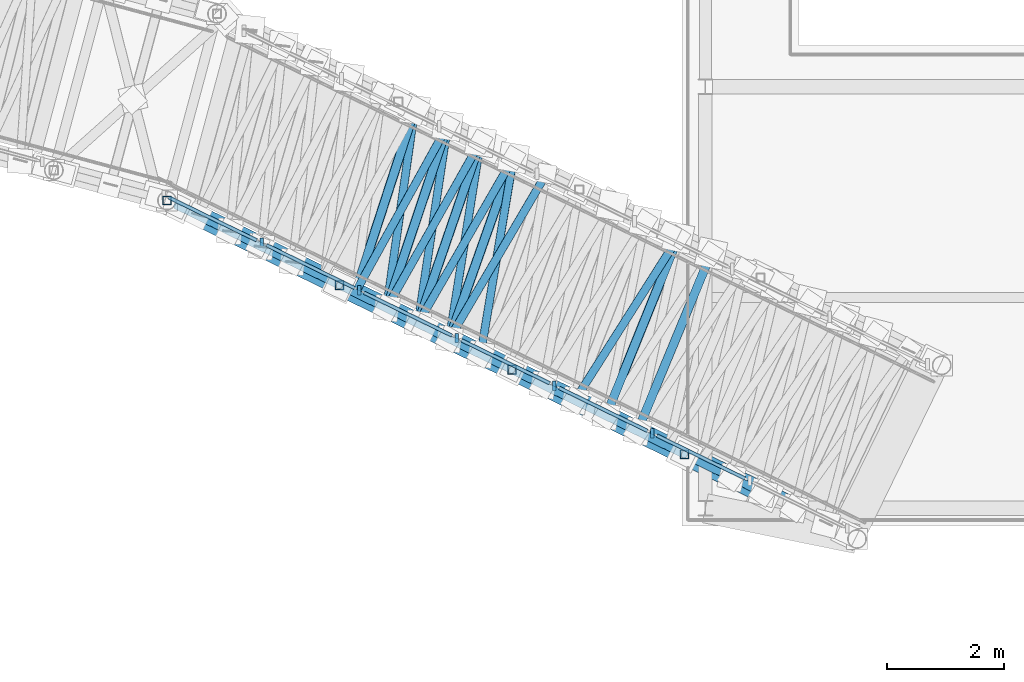
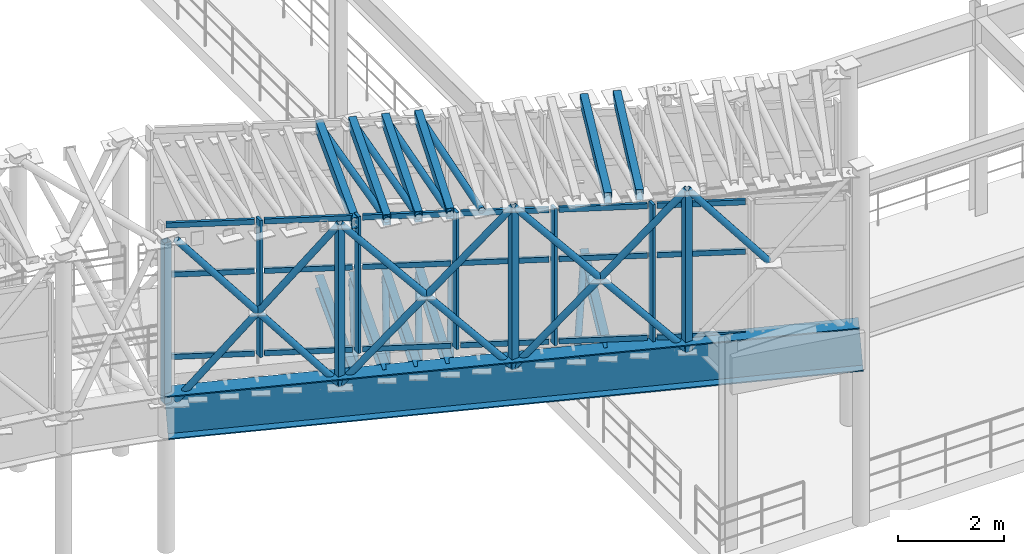
# One storey, part 62 of 144: 52 members, 6 beams, 1 element without a shape of its own.
"""IFC4 building model written with IfcOpenShell, lengths in metres."""

from ifc_helpers import new_model, si_unit, direction, frame, origin, origin_2d, place, context, subcontext, project, spatial, rectangle, hollow_rectangle, hollow_circle, i_section, extrude, material, material_profile, profile_set, type_object, element, aggregate, save


model = new_model("IFC4")

# Units and contexts
model_context = context("Model", 3, precision=1e-05, world=origin(), true_north=direction((0.0, 1.0)))
body_context = subcontext(model_context, "Body", "Model", "MODEL_VIEW")
ifc_project = project(units=[si_unit("LENGTHUNIT", "METRE"), si_unit("AREAUNIT", "SQUARE_METRE"), si_unit("VOLUMEUNIT", "CUBIC_METRE"), si_unit("PLANEANGLEUNIT", "RADIAN"), si_unit("MASSUNIT", "GRAM", prefix="KILO")], contexts=[model_context])

# Site, building, storey
site_placement = place(None, origin())
site = spatial("IfcSite", under=ifc_project, at=site_placement, CompositionType="ELEMENT")
building_placement = place(site_placement, origin())
building = spatial("IfcBuilding", under=site, at=building_placement, Name="Cinderbank Siding Concert Hall", CompositionType="ELEMENT")
storey_placement = place(building_placement, frame((0.0, 0.0, 5.39990234375)))
storey = spatial("IfcBuildingStorey", under=building, at=storey_placement, Name="L02", CompositionType="ELEMENT", Elevation=5.39990234375)

# Beam
ifc_material_1 = material(Name="Structural steel welded plate section AS/NZS 3679.2 / AS/NZS 3678 Grade 350 (340 MPa)", Category="steel")
ifc_material_profile_1 = material_profile(ifc_material_1, i_section(OverallWidth=0.35009765625, OverallDepth=1.0, WebThickness=0.013916015625, FlangeThickness=0.02490234375, at=origin_2d()), Name="1000WB258", Category="LoadBearing")
ifc_profile_set_1 = profile_set([ifc_material_profile_1], Name="Structural steel welded plate section AS/NZS 3679.2 / AS/NZS 3678 Grade 350 (340 MPa)")
beam_type_1 = type_object("IfcBeamType", Name="BM-WB1000 1000WB258", PredefinedType="BEAM", material=ifc_profile_set_1)
beam_1_placement = place(storey_placement, frame((109.2060546875, 93.85595703125, 3.1201171875), z_axis=(0.895376938297, -0.439293672626, 0.072946607575), x_axis=(0.440467144328, 0.897768731226, 0.0)))
element("IfcBeam", 1, at=beam_1_placement, inside=storey, type_object=beam_type_1, Name="L02 Beam BM-WB1000 #2014", PredefinedType="BEAM", context=body_context, shape_type="SweptSolid", body=[
    extrude(i_section(OverallWidth=0.35009765625, OverallDepth=1.0, WebThickness=0.013916015625, FlangeThickness=0.02490234375, at=origin_2d()), origin(), (0.0, 0.0, 1.0), 13.15966796875),
])

# Members
ifc_material_2 = material(Name="Structural steel hollow section AS/NZS 1163 Grade C350L0 (350 MPa)", Category="steel")
ifc_material_profile_2 = material_profile(ifc_material_2, hollow_circle(Radius=0.06982421875, WallThickness=0.00634765625, at=origin_2d()), Name="139.7x6.4CHS", Category="LoadBearing")
ifc_profile_set_2 = profile_set([ifc_material_profile_2], Name="Structural steel hollow section AS/NZS 1163 Grade C350L0 (350 MPa)")
member_type_1 = type_object("IfcMemberType", Name="BR-CHS139 139.7x6.4CHS Roof Truss", PredefinedType="BRACE", material=ifc_profile_set_2)
member_1_placement = place(storey_placement, frame((109.376708984375, 93.772216796875, 3.404052734375), z_axis=(0.555373819787, -0.272483486668, 0.785692477874), x_axis=(0.440471837187, 0.89776642878, 0.0)))
element("IfcMember", 2, at=member_1_placement, inside=storey, type_object=member_type_1, Name="L02 Diagonal Brace BR-CHS139 #BRDR-BR-CHS139-L02-0452", PredefinedType="BRACE", context=body_context, shape_type="SweptSolid", body=[
    extrude(hollow_circle(Radius=0.06982421875, WallThickness=0.00634765625, at=origin_2d()), origin(), (0.0, 0.0, 1.0), 4.996826171875),
])
member_2_placement = place(storey_placement, frame((109.376708984375, 93.772216796875, 7.10400390625), z_axis=(0.596777940563, -0.292786910266, -0.747082267782), x_axis=(0.440458848644, 0.897772801243, 0.0)))
element("IfcMember", 3, at=member_2_placement, inside=storey, type_object=member_type_1, Name="L02 Diagonal Brace BR-CHS139 #BRDR-BR-CHS139-L02-0453", PredefinedType="BRACE", context=body_context, shape_type="SweptSolid", body=[
    extrude(hollow_circle(Radius=0.06982421875, WallThickness=0.00634765625, at=origin_2d()), origin(), (0.0, 0.0, 1.0), 2.309814453125),
])
member_3_placement = place(storey_placement, frame((110.773193359375, 93.087158203125, 5.355712890625), z_axis=(0.596827518276, -0.292865070505, -0.747012023937), x_axis=(0.440524117547, 0.897740776538, 0.0)))
element("IfcMember", 4, at=member_3_placement, inside=storey, type_object=member_type_1, Name="L02 Diagonal Brace BR-CHS139 #BRDR-BR-CHS139-L02-0453-S53", PredefinedType="BRACE", context=body_context, shape_type="SweptSolid", body=[
    extrude(hollow_circle(Radius=0.06982421875, WallThickness=0.00634765625, at=origin_2d()), origin(), (0.0, 0.0, 1.0), 2.31005859375),
])
member_4_placement = place(storey_placement, frame((112.15185546875, 92.41064453125, 3.630126953125), z_axis=(0.574501774351, -0.281846332564, 0.768446716492), x_axis=(0.440444231761, 0.897779972325, 0.0)))
element("IfcMember", 5, at=member_4_placement, inside=storey, type_object=member_type_1, Name="L02 Diagonal Brace BR-CHS139 #BRDR-BR-CHS139-L02-0455", PredefinedType="BRACE", context=body_context, shape_type="SweptSolid", body=[
    extrude(hollow_circle(Radius=0.06982421875, WallThickness=0.00634765625, at=origin_2d()), origin(), (0.0, 0.0, 1.0), 5.127197265625),
])
for number, where, z_axis, x_axis, name in (
    (6, (112.15185546875, 92.41064453125, 7.330078125), (0.617794447681, -0.303074807445, -0.725586439721), (0.440431826116, 0.897786058337, 0.0), "L02 Diagonal Brace BR-CHS139 #BRDR-BR-CHS139-L02-0456"),
    (7, (113.6337890625, 91.68359375, 5.589111328125), (0.617794447681, -0.303074807445, -0.725586439721), (0.440431826116, 0.897786058337, 0.0), "L02 Diagonal Brace BR-CHS139 #BRDR-BR-CHS139-L02-0456-S54"),
):
    element("IfcMember", number, at=place(storey_placement, frame(where, z_axis=z_axis, x_axis=x_axis)), inside=storey, type_object=member_type_1, Name=name, PredefinedType="BRACE", context=body_context, shape_type="SweptSolid", body=[
        extrude(hollow_circle(Radius=0.06982421875, WallThickness=0.00634765625, at=origin_2d()), origin(), (0.0, 0.0, 1.0), 2.369140625),
    ])
member_5_placement = place(storey_placement, frame((115.097412109375, 90.965576171875, 3.8701171875), z_axis=(0.57452596335, -0.281882455083, 0.768415381778), x_axis=(0.440474781026, 0.897764984436, 0.0)))
element("IfcMember", 8, at=member_5_placement, inside=storey, type_object=member_type_1, Name="L02 Diagonal Brace BR-CHS139 #BRDR-BR-CHS139-L02-0458", PredefinedType="BRACE", context=body_context, shape_type="SweptSolid", body=[
    extrude(hollow_circle(Radius=0.06982421875, WallThickness=0.00634765625, at=origin_2d()), origin(), (0.0, 0.0, 1.0), 5.12744140625),
])
for number, where, z_axis, x_axis, name in (
    (9, (115.097412109375, 90.965576171875, 7.570068359375), (0.617775150133, -0.303168388939, -0.725563775161), (0.44055252032, 0.897726838654, 0.0), "L02 Diagonal Brace BR-CHS139 #BRDR-BR-CHS139-L02-0459"),
    (10, (116.57958984375, 90.23828125, 5.8291015625), (0.617794447681, -0.303074807445, -0.725586439721), (0.440431826116, 0.897786058337, 0.0), "L02 Diagonal Brace BR-CHS139 #BRDR-BR-CHS139-L02-0459-S55"),
):
    element("IfcMember", number, at=place(storey_placement, frame(where, z_axis=z_axis, x_axis=x_axis)), inside=storey, type_object=member_type_1, Name=name, PredefinedType="BRACE", context=body_context, shape_type="SweptSolid", body=[
        extrude(hollow_circle(Radius=0.06982421875, WallThickness=0.00634765625, at=origin_2d()), origin(), (0.0, 0.0, 1.0), 2.369140625),
    ])
member_6_placement = place(storey_placement, frame((118.043212890625, 89.520263671875, 7.81005859375), z_axis=(0.596845989227, -0.292768441678, -0.747035142882), x_axis=(0.440395978737, 0.897803643294, 0.0)))
element("IfcMember", 11, at=member_6_placement, inside=storey, type_object=member_type_1, Name="L02 Diagonal Brace BR-CHS139 #BRDR-BR-CHS139-L02-0462", PredefinedType="BRACE", context=body_context, shape_type="SweptSolid", body=[
    extrude(hollow_circle(Radius=0.06982421875, WallThickness=0.00634765625, at=origin_2d()), origin(), (0.0, 0.0, 1.0), 2.309814453125),
])
member_7_placement = place(storey_placement, frame((112.41943359375, 92.279296875, 3.681884765625), z_axis=(0.483819213363, 0.875065438801, 0.013395767856), x_axis=(-0.875143963127, 0.483862629062, 0.0)))
element("IfcMember", 12, at=member_7_placement, inside=storey, type_object=member_type_1, Name="L02 Diagonal Brace BR-CHS139 #BRST-BR-CHS139-L02-0480", PredefinedType="BRACE", context=body_context, shape_type="SweptSolid", body=[
    extrude(hollow_circle(Radius=0.06982421875, WallThickness=0.00634765625, at=origin_2d()), origin(), (0.0, 0.0, 1.0), 3.26220703125),
])
member_8_placement = place(storey_placement, frame((113.435302734375, 95.40673828125, 7.32177734375), z_axis=(-0.140241889779, -0.990035018543, 0.012762225862), x_axis=(0.990115654078, -0.140253312082, 0.0)))
element("IfcMember", 13, at=member_8_placement, inside=storey, type_object=member_type_1, Name="L02 Diagonal Brace BR-CHS139 #BRXR-BR-CHS139-L02-0481", PredefinedType="BRACE", context=body_context, shape_type="SweptSolid", body=[
    extrude(hollow_circle(Radius=0.06982421875, WallThickness=0.00634765625, at=origin_2d()), origin(), (0.0, 0.0, 1.0), 3.42431640625),
])
member_9_placement = place(storey_placement, frame((112.955078125, 92.0166015625, 3.7255859375), z_axis=(0.491426950963, 0.87081603128, 0.013378771745), x_axis=(-0.870893976092, 0.491470937499, 0.0)))
element("IfcMember", 14, at=member_9_placement, inside=storey, type_object=member_type_1, Name="L02 Diagonal Brace BR-CHS139 #BRST-BR-CHS139-L02-0483", PredefinedType="BRACE", context=body_context, shape_type="SweptSolid", body=[
    extrude(hollow_circle(Radius=0.06982421875, WallThickness=0.00634765625, at=origin_2d()), origin(), (0.0, 0.0, 1.0), 3.266357421875),
])
member_10_placement = place(storey_placement, frame((113.997802734375, 95.134033203125, 7.365478515625), z_axis=(-0.148345792189, -0.988852909418, 0.012784736063), x_axis=(0.988933733071, -0.148357917197, 0.0)))
element("IfcMember", 15, at=member_10_placement, inside=storey, type_object=member_type_1, Name="L02 Diagonal Brace BR-CHS139 #BRXR-BR-CHS139-L02-0484", PredefinedType="BRACE", context=body_context, shape_type="SweptSolid", body=[
    extrude(hollow_circle(Radius=0.06982421875, WallThickness=0.00634765625, at=origin_2d()), origin(), (0.0, 0.0, 1.0), 3.418212890625),
])
member_11_placement = place(storey_placement, frame((113.49072265625, 91.75390625, 3.769287109375), z_axis=(0.498978159618, 0.866512708302, 0.013286179867), x_axis=(-0.866589197956, 0.499022205904, 0.0)))
element("IfcMember", 16, at=member_11_placement, inside=storey, type_object=member_type_1, Name="L02 Diagonal Brace BR-CHS139 #BRST-BR-CHS139-L02-0486", PredefinedType="BRACE", context=body_context, shape_type="SweptSolid", body=[
    extrude(hollow_circle(Radius=0.06982421875, WallThickness=0.00634765625, at=origin_2d()), origin(), (0.0, 0.0, 1.0), 3.270751953125),
])
member_12_placement = place(storey_placement, frame((114.560302734375, 94.861083984375, 7.4091796875), z_axis=(-0.156467782866, -0.987600034147, 0.012806462338), x_axis=(0.987681030018, -0.156480615231, 0.0)))
element("IfcMember", 17, at=member_12_placement, inside=storey, type_object=member_type_1, Name="L02 Diagonal Brace BR-CHS139 #BRXR-BR-CHS139-L02-0487", PredefinedType="BRACE", context=body_context, shape_type="SweptSolid", body=[
    extrude(hollow_circle(Radius=0.06982421875, WallThickness=0.00634765625, at=origin_2d()), origin(), (0.0, 0.0, 1.0), 3.412353515625),
])
member_13_placement = place(storey_placement, frame((114.0263671875, 91.490966796875, 3.812744140625), z_axis=(0.50646034812, 0.862160059947, 0.013339670735), x_axis=(-0.862236779504, 0.506505415638, 0.0)))
element("IfcMember", 18, at=member_13_placement, inside=storey, type_object=member_type_1, Name="L02 Diagonal Brace BR-CHS139 #BRST-BR-CHS139-L02-0489", PredefinedType="BRACE", context=body_context, shape_type="SweptSolid", body=[
    extrude(hollow_circle(Radius=0.06982421875, WallThickness=0.00634765625, at=origin_2d()), origin(), (0.0, 0.0, 1.0), 3.276123046875),
])
member_14_placement = place(storey_placement, frame((115.122802734375, 94.588134765625, 7.452880859375), z_axis=(-0.164617886807, -0.986273991394, 0.012828298537), x_axis=(0.986355154621, -0.16463143367, 0.0)))
element("IfcMember", 19, at=member_14_placement, inside=storey, type_object=member_type_1, Name="L02 Diagonal Brace BR-CHS139 #BRXR-BR-CHS139-L02-0490", PredefinedType="BRACE", context=body_context, shape_type="SweptSolid", body=[
    extrude(hollow_circle(Radius=0.06982421875, WallThickness=0.00634765625, at=origin_2d()), origin(), (0.0, 0.0, 1.0), 3.40673828125),
])
member_15_placement = place(storey_placement, frame((116.168701171875, 90.43994140625, 3.9873046875), z_axis=(0.535802759037, 0.844239168343, 0.013252548552), x_axis=(-0.844313314991, 0.535849816767, 0.0)))
element("IfcMember", 20, at=member_15_placement, inside=storey, type_object=member_type_1, Name="L02 Diagonal Brace BR-CHS139 #BRST-BR-CHS139-L02-0501", PredefinedType="BRACE", context=body_context, shape_type="SweptSolid", body=[
    extrude(hollow_circle(Radius=0.06982421875, WallThickness=0.00634765625, at=origin_2d()), origin(), (0.0, 0.0, 1.0), 3.297607421875),
])
ifc_material_profile_3 = material_profile(ifc_material_2, hollow_rectangle(XDim=0.14990234375, YDim=0.14990234375, WallThickness=0.008056640625, at=origin_2d()), Name="150x150x8.0SHS", Category="LoadBearing")
ifc_profile_set_3 = profile_set([ifc_material_profile_3], Name="Structural steel hollow section AS/NZS 1163 Grade C350L0 (350 MPa)")
member_type_2 = type_object("IfcMemberType", Name="BR-SHS150 150x150x8.0SHS Roof Truss", PredefinedType="BRACE", material=ifc_profile_set_3)
for number, where, z_axis, x_axis, name in (
    (21, (109.2060546875, 93.85595703125, 3.39013671875), (0.0, 0.0, 1.0), (1.0, 0.0, 0.0), "L02 Diagonal Brace BR-SHS150 #BRVR-BR-SHS150-L02-0451"),
    (22, (112.15185546875, 92.41064453125, 3.630126953125), (0.0, 0.0, 1.0), (1.0, 0.0, 0.0), "L02 Diagonal Brace BR-SHS150 #BRVR-BR-SHS150-L02-0454"),
    (23, (115.097412109375, 90.965576171875, 3.8701171875), (0.0, 0.0, 1.0), (1.0, 0.0, 0.0), "L02 Diagonal Brace BR-SHS150 #BRVR-BR-SHS150-L02-0457"),
    (24, (118.043212890625, 89.520263671875, 4.110107421875), (0.0, 0.0, 1.0), (1.0, 0.0, 0.0), "L02 Diagonal Brace BR-SHS150 #BRVR-BR-SHS150-L02-0460"),
):
    element("IfcMember", number, at=place(storey_placement, frame(where, z_axis=z_axis, x_axis=x_axis)), inside=storey, type_object=member_type_2, Name=name, PredefinedType="BRACE", context=body_context, shape_type="SweptSolid", body=[
        extrude(hollow_rectangle(XDim=0.14990234375, YDim=0.14990234375, WallThickness=0.008056640625, at=origin_2d()), origin(), (0.0, 0.0, 1.0), 3.699951171875),
    ])

# Curtain wall, members
ifc_material_3 = material(Name="Anodised aluminium alloy 6063-T6", Category="aluminium")
curtain_wall_type = type_object("IfcCurtainWallType", Name="CW-15 Unitised Acoustic Curtain Wall 12800x3200", PredefinedType="NOTDEFINED", material=ifc_material_3)
curtain_wall_placement = place(storey_placement, origin())
curtain_wall = element("IfcCurtainWall", 25, at=curtain_wall_placement, inside=storey, type_object=curtain_wall_type, Name="L02 Curtain Wall CW-15 #162", PredefinedType="NOTDEFINED")
ifc_material_profile_4 = material_profile(ifc_material_3, rectangle(XDim=0.06005859375, YDim=0.159912109375, at=origin_2d()), Name="ALU-MULL-60x160", Category="LoadBearing")
ifc_profile_set_4 = profile_set([ifc_material_profile_4], Name="Anodised aluminium alloy 6063-T6")
member_type_3 = type_object("IfcMemberType", Name="CW-ML1 Mullion 60x160", PredefinedType="MULLION", material=ifc_profile_set_4)
member_16_placement = place(storey_placement, frame((110.8203125, 93.135009765625, 4.320068359375), z_axis=(0.0, 0.0, 1.0), x_axis=(1.0, 0.0, 0.0)))
member_16 = element("IfcMember", 26, at=member_16_placement, type_object=member_type_3, Name="CW-L02-162 Mullion 1", PredefinedType="MULLION", context=body_context, shape_type="SweptSolid", body=[
    extrude(rectangle(XDim=0.06005859375, YDim=0.159912109375, at=origin_2d()), origin(), (0.0, 0.0, 1.0), 3.150146484375),
])
member_17_placement = place(storey_placement, frame((112.48779296875, 92.322021484375, 4.320068359375), z_axis=(0.0, 0.0, 1.0), x_axis=(1.0, 0.0, 0.0)))
member_17 = element("IfcMember", 27, at=member_17_placement, type_object=member_type_3, Name="CW-L02-162 Mullion 2", PredefinedType="MULLION", context=body_context, shape_type="SweptSolid", body=[
    extrude(rectangle(XDim=0.06005859375, YDim=0.159912109375, at=origin_2d()), origin(), (0.0, 0.0, 1.0), 3.150146484375),
])
member_18_placement = place(storey_placement, frame((114.1552734375, 91.5087890625, 4.320068359375), z_axis=(0.0, 0.0, 1.0), x_axis=(1.0, 0.0, 0.0)))
member_18 = element("IfcMember", 28, at=member_18_placement, type_object=member_type_3, Name="CW-L02-162 Mullion 3", PredefinedType="MULLION", context=body_context, shape_type="SweptSolid", body=[
    extrude(rectangle(XDim=0.06005859375, YDim=0.159912109375, at=origin_2d()), origin(), (0.0, 0.0, 1.0), 3.150146484375),
])
member_19_placement = place(storey_placement, frame((115.822509765625, 90.6953125, 4.320068359375), z_axis=(0.0, 0.0, 1.0), x_axis=(1.0, 0.0, 0.0)))
member_19 = element("IfcMember", 29, at=member_19_placement, type_object=member_type_3, Name="CW-L02-162 Mullion 4", PredefinedType="MULLION", context=body_context, shape_type="SweptSolid", body=[
    extrude(rectangle(XDim=0.06005859375, YDim=0.159912109375, at=origin_2d()), origin(), (0.0, 0.0, 1.0), 3.150146484375),
])
member_20_placement = place(storey_placement, frame((117.489990234375, 89.882080078125, 4.320068359375), z_axis=(0.0, 0.0, 1.0), x_axis=(1.0, 0.0, 0.0)))
member_20 = element("IfcMember", 30, at=member_20_placement, type_object=member_type_3, Name="CW-L02-162 Mullion 5", PredefinedType="MULLION", context=body_context, shape_type="SweptSolid", body=[
    extrude(rectangle(XDim=0.06005859375, YDim=0.159912109375, at=origin_2d()), origin(), (0.0, 0.0, 1.0), 3.150146484375),
])
ifc_material_profile_5 = material_profile(ifc_material_3, rectangle(XDim=0.06005859375, YDim=0.1201171875, at=origin_2d()), Name="ALU-TRAN-60x120", Category="LoadBearing")
ifc_profile_set_5 = profile_set([ifc_material_profile_5], Name="Anodised aluminium alloy 6063-T6")
member_type_4 = type_object("IfcMemberType", Name="CW-TR1 Transom 60x120", PredefinedType="USERDEFINED", material=ifc_profile_set_5)
member_21_placement = place(storey_placement, frame((109.236328125, 93.90771484375, 4.380126953125), z_axis=(0.898799359184, -0.438360253593, 0.0), x_axis=(0.438360253593, 0.898799359184, 0.0)))
member_21 = element("IfcMember", 31, at=member_21_placement, type_object=member_type_4, Name="CW-L02-162 Transom 0-0", ObjectType="TRANSOM", PredefinedType="USERDEFINED", context=body_context, shape_type="SweptSolid", body=[
    extrude(rectangle(XDim=0.06005859375, YDim=0.1201171875, at=origin_2d()), origin(), (0.0, 0.0, 1.0), 1.669677734375),
])
member_22_placement = place(storey_placement, frame((109.236328125, 93.90771484375, 6.273193359375), z_axis=(0.898799359184, -0.438360253593, 0.0), x_axis=(0.438360253593, 0.898799359184, 0.0)))
member_22 = element("IfcMember", 32, at=member_22_placement, type_object=member_type_4, Name="CW-L02-162 Transom 0-1", ObjectType="TRANSOM", PredefinedType="USERDEFINED", context=body_context, shape_type="SweptSolid", body=[
    extrude(rectangle(XDim=0.06005859375, YDim=0.1201171875, at=origin_2d()), origin(), (0.0, 0.0, 1.0), 1.669677734375),
])
member_23_placement = place(storey_placement, frame((109.236328125, 93.90771484375, 7.41015625), z_axis=(0.898799359184, -0.438360253593, 0.0), x_axis=(0.438360253593, 0.898799359184, 0.0)))
member_23 = element("IfcMember", 33, at=member_23_placement, type_object=member_type_4, Name="CW-L02-162 Transom 0-2", ObjectType="TRANSOM", PredefinedType="USERDEFINED", context=body_context, shape_type="SweptSolid", body=[
    extrude(rectangle(XDim=0.06005859375, YDim=0.1201171875, at=origin_2d()), origin(), (0.0, 0.0, 1.0), 1.669677734375),
])
member_24_placement = place(storey_placement, frame((110.90380859375, 93.094482421875, 4.380126953125), z_axis=(0.898799359184, -0.438360253593, 0.0), x_axis=(0.438360253593, 0.898799359184, 0.0)))
member_24 = element("IfcMember", 34, at=member_24_placement, type_object=member_type_4, Name="CW-L02-162 Transom 1-0", ObjectType="TRANSOM", PredefinedType="USERDEFINED", context=body_context, shape_type="SweptSolid", body=[
    extrude(rectangle(XDim=0.06005859375, YDim=0.1201171875, at=origin_2d()), origin(), (0.0, 0.0, 1.0), 1.669677734375),
])
member_25_placement = place(storey_placement, frame((110.90380859375, 93.094482421875, 6.273193359375), z_axis=(0.898799359184, -0.438360253593, 0.0), x_axis=(0.438360253593, 0.898799359184, 0.0)))
member_25 = element("IfcMember", 35, at=member_25_placement, type_object=member_type_4, Name="CW-L02-162 Transom 1-1", ObjectType="TRANSOM", PredefinedType="USERDEFINED", context=body_context, shape_type="SweptSolid", body=[
    extrude(rectangle(XDim=0.06005859375, YDim=0.1201171875, at=origin_2d()), origin(), (0.0, 0.0, 1.0), 1.669677734375),
])
member_26_placement = place(storey_placement, frame((110.90380859375, 93.094482421875, 7.41015625), z_axis=(0.898799359184, -0.438360253593, 0.0), x_axis=(0.438360253593, 0.898799359184, 0.0)))
member_26 = element("IfcMember", 36, at=member_26_placement, type_object=member_type_4, Name="CW-L02-162 Transom 1-2", ObjectType="TRANSOM", PredefinedType="USERDEFINED", context=body_context, shape_type="SweptSolid", body=[
    extrude(rectangle(XDim=0.06005859375, YDim=0.1201171875, at=origin_2d()), origin(), (0.0, 0.0, 1.0), 1.669677734375),
])
member_27_placement = place(storey_placement, frame((112.5712890625, 92.28125, 4.380126953125), z_axis=(0.898799359184, -0.438360253593, 0.0), x_axis=(0.438360253593, 0.898799359184, 0.0)))
member_27 = element("IfcMember", 37, at=member_27_placement, type_object=member_type_4, Name="CW-L02-162 Transom 2-0", ObjectType="TRANSOM", PredefinedType="USERDEFINED", context=body_context, shape_type="SweptSolid", body=[
    extrude(rectangle(XDim=0.06005859375, YDim=0.1201171875, at=origin_2d()), origin(), (0.0, 0.0, 1.0), 1.669677734375),
])
member_28_placement = place(storey_placement, frame((112.5712890625, 92.28125, 6.273193359375), z_axis=(0.898799359184, -0.438360253593, 0.0), x_axis=(0.438360253593, 0.898799359184, 0.0)))
member_28 = element("IfcMember", 38, at=member_28_placement, type_object=member_type_4, Name="CW-L02-162 Transom 2-1", ObjectType="TRANSOM", PredefinedType="USERDEFINED", context=body_context, shape_type="SweptSolid", body=[
    extrude(rectangle(XDim=0.06005859375, YDim=0.1201171875, at=origin_2d()), origin(), (0.0, 0.0, 1.0), 1.669677734375),
])
member_29_placement = place(storey_placement, frame((112.5712890625, 92.28125, 7.41015625), z_axis=(0.898799359184, -0.438360253593, 0.0), x_axis=(0.438360253593, 0.898799359184, 0.0)))
member_29 = element("IfcMember", 39, at=member_29_placement, type_object=member_type_4, Name="CW-L02-162 Transom 2-2", ObjectType="TRANSOM", PredefinedType="USERDEFINED", context=body_context, shape_type="SweptSolid", body=[
    extrude(rectangle(XDim=0.06005859375, YDim=0.1201171875, at=origin_2d()), origin(), (0.0, 0.0, 1.0), 1.669677734375),
])
member_30_placement = place(storey_placement, frame((114.238525390625, 91.468017578125, 4.380126953125), z_axis=(0.898799359184, -0.438360253593, 0.0), x_axis=(0.438360253593, 0.898799359184, 0.0)))
member_30 = element("IfcMember", 40, at=member_30_placement, type_object=member_type_4, Name="CW-L02-162 Transom 3-0", ObjectType="TRANSOM", PredefinedType="USERDEFINED", context=body_context, shape_type="SweptSolid", body=[
    extrude(rectangle(XDim=0.06005859375, YDim=0.1201171875, at=origin_2d()), origin(), (0.0, 0.0, 1.0), 1.669677734375),
])
member_31_placement = place(storey_placement, frame((114.238525390625, 91.468017578125, 6.273193359375), z_axis=(0.898799359184, -0.438360253593, 0.0), x_axis=(0.438360253593, 0.898799359184, 0.0)))
member_31 = element("IfcMember", 41, at=member_31_placement, type_object=member_type_4, Name="CW-L02-162 Transom 3-1", ObjectType="TRANSOM", PredefinedType="USERDEFINED", context=body_context, shape_type="SweptSolid", body=[
    extrude(rectangle(XDim=0.06005859375, YDim=0.1201171875, at=origin_2d()), origin(), (0.0, 0.0, 1.0), 1.669677734375),
])
member_32_placement = place(storey_placement, frame((114.238525390625, 91.468017578125, 7.41015625), z_axis=(0.898799359184, -0.438360253593, 0.0), x_axis=(0.438360253593, 0.898799359184, 0.0)))
member_32 = element("IfcMember", 42, at=member_32_placement, type_object=member_type_4, Name="CW-L02-162 Transom 3-2", ObjectType="TRANSOM", PredefinedType="USERDEFINED", context=body_context, shape_type="SweptSolid", body=[
    extrude(rectangle(XDim=0.06005859375, YDim=0.1201171875, at=origin_2d()), origin(), (0.0, 0.0, 1.0), 1.669677734375),
])
member_33_placement = place(storey_placement, frame((115.906005859375, 90.65478515625, 4.380126953125), z_axis=(0.898799359184, -0.438360253593, 0.0), x_axis=(0.438360253593, 0.898799359184, 0.0)))
member_33 = element("IfcMember", 43, at=member_33_placement, type_object=member_type_4, Name="CW-L02-162 Transom 4-0", ObjectType="TRANSOM", PredefinedType="USERDEFINED", context=body_context, shape_type="SweptSolid", body=[
    extrude(rectangle(XDim=0.06005859375, YDim=0.1201171875, at=origin_2d()), origin(), (0.0, 0.0, 1.0), 1.669677734375),
])
member_34_placement = place(storey_placement, frame((115.906005859375, 90.65478515625, 6.273193359375), z_axis=(0.898799359184, -0.438360253593, 0.0), x_axis=(0.438360253593, 0.898799359184, 0.0)))
member_34 = element("IfcMember", 44, at=member_34_placement, type_object=member_type_4, Name="CW-L02-162 Transom 4-1", ObjectType="TRANSOM", PredefinedType="USERDEFINED", context=body_context, shape_type="SweptSolid", body=[
    extrude(rectangle(XDim=0.06005859375, YDim=0.1201171875, at=origin_2d()), origin(), (0.0, 0.0, 1.0), 1.669677734375),
])
member_35_placement = place(storey_placement, frame((115.906005859375, 90.65478515625, 7.41015625), z_axis=(0.898799359184, -0.438360253593, 0.0), x_axis=(0.438360253593, 0.898799359184, 0.0)))
member_35 = element("IfcMember", 45, at=member_35_placement, type_object=member_type_4, Name="CW-L02-162 Transom 4-2", ObjectType="TRANSOM", PredefinedType="USERDEFINED", context=body_context, shape_type="SweptSolid", body=[
    extrude(rectangle(XDim=0.06005859375, YDim=0.1201171875, at=origin_2d()), origin(), (0.0, 0.0, 1.0), 1.669677734375),
])
member_36_placement = place(storey_placement, frame((117.573486328125, 89.841552734375, 4.380126953125), z_axis=(0.898799359184, -0.438360253593, 0.0), x_axis=(0.438360253593, 0.898799359184, 0.0)))
member_36 = element("IfcMember", 46, at=member_36_placement, type_object=member_type_4, Name="CW-L02-162 Transom 5-0", ObjectType="TRANSOM", PredefinedType="USERDEFINED", context=body_context, shape_type="SweptSolid", body=[
    extrude(rectangle(XDim=0.06005859375, YDim=0.1201171875, at=origin_2d()), origin(), (0.0, 0.0, 1.0), 1.669677734375),
])
member_37_placement = place(storey_placement, frame((117.573486328125, 89.841552734375, 6.273193359375), z_axis=(0.898799359184, -0.438360253593, 0.0), x_axis=(0.438360253593, 0.898799359184, 0.0)))
member_37 = element("IfcMember", 47, at=member_37_placement, type_object=member_type_4, Name="CW-L02-162 Transom 5-1", ObjectType="TRANSOM", PredefinedType="USERDEFINED", context=body_context, shape_type="SweptSolid", body=[
    extrude(rectangle(XDim=0.06005859375, YDim=0.1201171875, at=origin_2d()), origin(), (0.0, 0.0, 1.0), 1.669677734375),
])
member_38_placement = place(storey_placement, frame((117.573486328125, 89.841552734375, 7.41015625), z_axis=(0.898799359184, -0.438360253593, 0.0), x_axis=(0.438360253593, 0.898799359184, 0.0)))
member_38 = element("IfcMember", 48, at=member_38_placement, type_object=member_type_4, Name="CW-L02-162 Transom 5-2", ObjectType="TRANSOM", PredefinedType="USERDEFINED", context=body_context, shape_type="SweptSolid", body=[
    extrude(rectangle(XDim=0.06005859375, YDim=0.1201171875, at=origin_2d()), origin(), (0.0, 0.0, 1.0), 1.669677734375),
])
aggregate(curtain_wall, [member_16, member_17, member_18, member_19, member_20, member_21, member_22, member_23, member_24, member_25, member_26, member_27, member_28, member_29, member_30, member_31, member_32, member_33, member_34, member_35, member_36, member_37, member_38])

# Beams
ifc_material_4 = material(Name="Structural steel AS/NZS 3679.1 Grade 350 (340 MPa)", Category="steel")
ifc_material_profile_6 = material_profile(ifc_material_4, i_section(OverallWidth=0.1650390625, OverallDepth=0.303955078125, WebThickness=0.006103515625, FlangeThickness=0.01025390625, at=origin_2d()), Name="310UB40.4", Category="LoadBearing")
ifc_profile_set_6 = profile_set([ifc_material_profile_6], Name="Structural steel AS/NZS 3679.1 Grade 350 (340 MPa)")
beam_type_2 = type_object("IfcBeamType", Name="JS-UB310 310UB40.4", PredefinedType="JOIST", material=ifc_profile_set_6)
beam_2_placement = place(storey_placement, frame((112.41943359375, 92.279296875, 3.72998046875), z_axis=(0.308934975546, 0.951083161918, 0.0), x_axis=(-0.951083161918, 0.308934975546, 0.0)))
element("IfcBeam", 49, at=beam_2_placement, inside=storey, type_object=beam_type_2, Name="L02 Beam JS-UB310 #2020", PredefinedType="JOIST", context=body_context, shape_type="SweptSolid", body=[
    extrude(i_section(OverallWidth=0.1650390625, OverallDepth=0.303955078125, WebThickness=0.006103515625, FlangeThickness=0.01025390625, at=origin_2d()), origin(), (0.0, 0.0, 1.0), 3.288330078125),
])
beam_3_placement = place(storey_placement, frame((112.955078125, 92.0166015625, 3.773681640625), z_axis=(0.317207963618, 0.948356002679, 0.0), x_axis=(-0.948356002679, 0.317207963618, 0.0)))
element("IfcBeam", 50, at=beam_3_placement, inside=storey, type_object=beam_type_2, Name="L02 Beam JS-UB310 #2021", PredefinedType="JOIST", context=body_context, shape_type="SweptSolid", body=[
    extrude(i_section(OverallWidth=0.1650390625, OverallDepth=0.303955078125, WebThickness=0.006103515625, FlangeThickness=0.01025390625, at=origin_2d()), origin(), (0.0, 0.0, 1.0), 3.287109375),
])
beam_4_placement = place(storey_placement, frame((113.49072265625, 91.75390625, 3.817138671875), z_axis=(0.325484628047, 0.945547331922, 0.0), x_axis=(-0.945547331922, 0.325484628047, 0.0)))
element("IfcBeam", 51, at=beam_4_placement, inside=storey, type_object=beam_type_2, Name="L02 Beam JS-UB310 #2022", PredefinedType="JOIST", context=body_context, shape_type="SweptSolid", body=[
    extrude(i_section(OverallWidth=0.1650390625, OverallDepth=0.303955078125, WebThickness=0.006103515625, FlangeThickness=0.01025390625, at=origin_2d()), origin(), (0.0, 0.0, 1.0), 3.2861328125),
])
beam_5_placement = place(storey_placement, frame((114.0263671875, 91.490966796875, 3.86083984375), z_axis=(0.333717837789, 0.942673010509, 0.0), x_axis=(-0.942673010509, 0.333717837789, 0.0)))
element("IfcBeam", 52, at=beam_5_placement, inside=storey, type_object=beam_type_2, Name="L02 Beam JS-UB310 #2023", PredefinedType="JOIST", context=body_context, shape_type="SweptSolid", body=[
    extrude(i_section(OverallWidth=0.1650390625, OverallDepth=0.303955078125, WebThickness=0.006103515625, FlangeThickness=0.01025390625, at=origin_2d()), origin(), (0.0, 0.0, 1.0), 3.285400390625),
])
beam_6_placement = place(storey_placement, frame((116.704345703125, 90.17724609375, 4.0791015625), z_axis=(0.374680473605, 0.927154001609, 0.0), x_axis=(-0.927154001609, 0.374680473605, 0.0)))
element("IfcBeam", 53, at=beam_6_placement, inside=storey, type_object=beam_type_2, Name="L02 Beam JS-UB310 #2028", PredefinedType="JOIST", context=body_context, shape_type="SweptSolid", body=[
    extrude(i_section(OverallWidth=0.1650390625, OverallDepth=0.303955078125, WebThickness=0.006103515625, FlangeThickness=0.01025390625, at=origin_2d()), origin(), (0.0, 0.0, 1.0), 3.285888671875),
])

# Members
ifc_material_profile_7 = material_profile(ifc_material_2, hollow_rectangle(XDim=0.14990234375, YDim=0.25, WallThickness=0.009033203125, at=origin_2d()), Name="250x150x9.0RHS", Category="LoadBearing")
ifc_profile_set_7 = profile_set([ifc_material_profile_7], Name="Structural steel hollow section AS/NZS 1163 Grade C350L0 (350 MPa)")
member_type_5 = type_object("IfcMemberType", Name="PR-RHS250 250x150x9.0RHS Roof Truss", PredefinedType="PURLIN", material=ifc_profile_set_7)
member_39_placement = place(storey_placement, frame((112.41943359375, 92.279296875, 7.32177734375), z_axis=(0.308934975546, 0.951083161918, 0.0), x_axis=(-0.951083161918, 0.308934975546, 0.0)))
element("IfcMember", 54, at=member_39_placement, inside=storey, type_object=member_type_5, Name="L02 Roof Truss Member PR-RHS250 #476", PredefinedType="PURLIN", context=body_context, shape_type="SweptSolid", body=[
    extrude(hollow_rectangle(XDim=0.14990234375, YDim=0.25, WallThickness=0.009033203125, at=origin_2d()), origin(), (0.0, 0.0, 1.0), 3.288330078125),
])
member_40_placement = place(storey_placement, frame((112.955078125, 92.0166015625, 7.365478515625), z_axis=(0.317207963618, 0.948356002679, 0.0), x_axis=(-0.948356002679, 0.317207963618, 0.0)))
element("IfcMember", 55, at=member_40_placement, inside=storey, type_object=member_type_5, Name="L02 Roof Truss Member PR-RHS250 #479", PredefinedType="PURLIN", context=body_context, shape_type="SweptSolid", body=[
    extrude(hollow_rectangle(XDim=0.14990234375, YDim=0.25, WallThickness=0.009033203125, at=origin_2d()), origin(), (0.0, 0.0, 1.0), 3.287109375),
])
member_41_placement = place(storey_placement, frame((113.49072265625, 91.75390625, 7.4091796875), z_axis=(0.325484628047, 0.945547331922, 0.0), x_axis=(-0.945547331922, 0.325484628047, 0.0)))
element("IfcMember", 56, at=member_41_placement, inside=storey, type_object=member_type_5, Name="L02 Roof Truss Member PR-RHS250 #482", PredefinedType="PURLIN", context=body_context, shape_type="SweptSolid", body=[
    extrude(hollow_rectangle(XDim=0.14990234375, YDim=0.25, WallThickness=0.009033203125, at=origin_2d()), origin(), (0.0, 0.0, 1.0), 3.2861328125),
])
member_42_placement = place(storey_placement, frame((114.0263671875, 91.490966796875, 7.452880859375), z_axis=(0.333717837789, 0.942673010509, 0.0), x_axis=(-0.942673010509, 0.333717837789, 0.0)))
element("IfcMember", 57, at=member_42_placement, inside=storey, type_object=member_type_5, Name="L02 Roof Truss Member PR-RHS250 #485", PredefinedType="PURLIN", context=body_context, shape_type="SweptSolid", body=[
    extrude(hollow_rectangle(XDim=0.14990234375, YDim=0.25, WallThickness=0.009033203125, at=origin_2d()), origin(), (0.0, 0.0, 1.0), 3.285400390625),
])
member_43_placement = place(storey_placement, frame((116.704345703125, 90.17724609375, 7.6708984375), z_axis=(0.374680473605, 0.927154001609, 0.0), x_axis=(-0.927154001609, 0.374680473605, 0.0)))
element("IfcMember", 58, at=member_43_placement, inside=storey, type_object=member_type_5, Name="L02 Roof Truss Member PR-RHS250 #500", PredefinedType="PURLIN", context=body_context, shape_type="SweptSolid", body=[
    extrude(hollow_rectangle(XDim=0.14990234375, YDim=0.25, WallThickness=0.009033203125, at=origin_2d()), origin(), (0.0, 0.0, 1.0), 3.285888671875),
])
member_44_placement = place(storey_placement, frame((117.239990234375, 89.914306640625, 7.714599609375), z_axis=(0.382810965744, 0.923826696143, 0.0), x_axis=(-0.923826696143, 0.382810965744, 0.0)))
element("IfcMember", 59, at=member_44_placement, inside=storey, type_object=member_type_5, Name="L02 Roof Truss Member PR-RHS250 #503", PredefinedType="PURLIN", context=body_context, shape_type="SweptSolid", body=[
    extrude(hollow_rectangle(XDim=0.14990234375, YDim=0.25, WallThickness=0.009033203125, at=origin_2d()), origin(), (0.0, 0.0, 1.0), 3.287109375),
])

save(model, "model.ifc")
